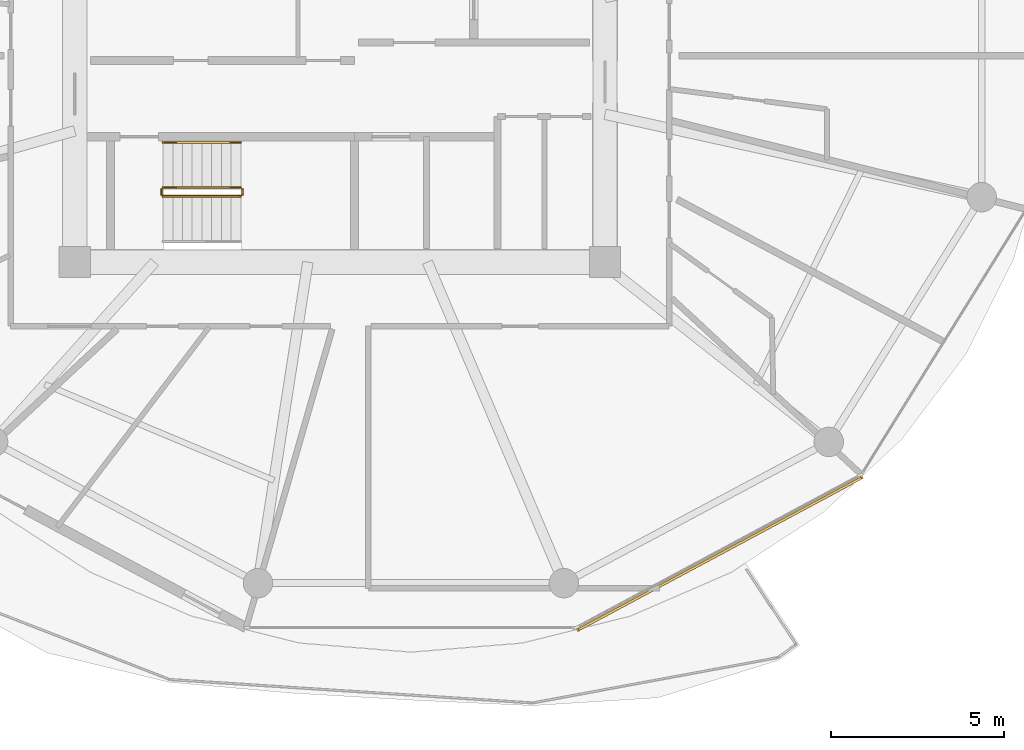
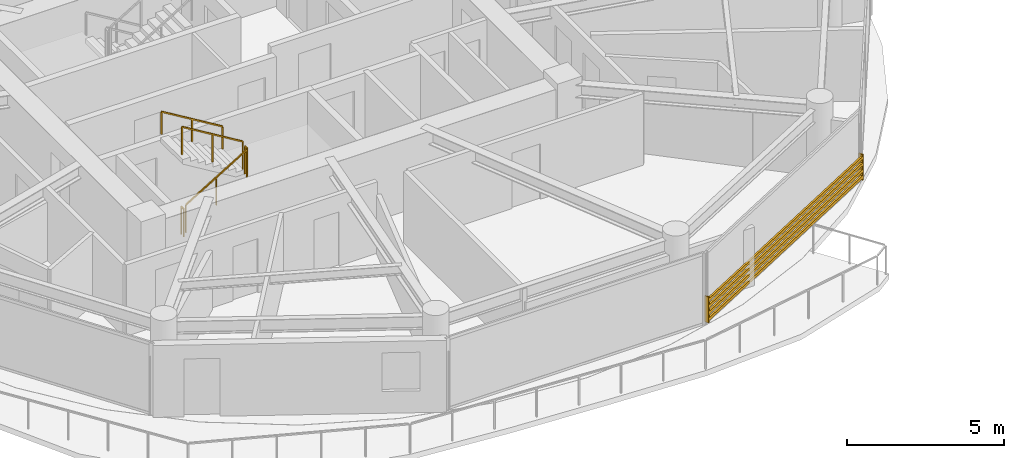
# One storey, part 21 of 24: 5 railings, 1 shading device.
"""IFC4 building model written with IfcOpenShell, lengths in metres."""

from ifc_helpers import new_model, si_unit, direction, frame, origin, origin_2d, place, context, subcontext, project, spatial, rectangle, extrude, source, transform, mapped, material, type_object, type_shapes, element, save


model = new_model("IFC4")

# Units and contexts
model_context = context("Model", 3, precision=1e-05, world=origin(), true_north=direction((0.0, 1.0)))
body_context = subcontext(model_context, "Body", "Model", "MODEL_VIEW")
ifc_project = project(units=[si_unit("LENGTHUNIT", "METRE"), si_unit("AREAUNIT", "SQUARE_METRE"), si_unit("VOLUMEUNIT", "CUBIC_METRE"), si_unit("PLANEANGLEUNIT", "RADIAN"), si_unit("MASSUNIT", "GRAM", prefix="KILO")], contexts=[model_context])

# Site, building, storey
site_placement = place(None, origin())
site = spatial("IfcSite", under=ifc_project, at=site_placement, CompositionType="ELEMENT")
building_placement = place(site_placement, origin())
building = spatial("IfcBuilding", under=site, at=building_placement, Name="Norrkilde Senior Care Towers", CompositionType="ELEMENT")
storey_placement = place(building_placement, frame((0.0, 0.0, 108.449951171875)))
storey = spatial("IfcBuildingStorey", under=building, at=storey_placement, Name="L33", CompositionType="ELEMENT", Elevation=108.449951171875)

# Railings
ifc_material_1 = material(Name="Stainless Steel", Category="steel")
railing_type_1 = type_object("IfcRailingType", Name="Stair and Terrace Guardrail 1100", PredefinedType="GUARDRAIL", material=ifc_material_1)
railing_1_placement = place(storey_placement, frame((-33.10009765625, -4.050048828125, 0.16943359375)))
element("IfcRailing", 1, at=railing_1_placement, inside=storey, type_object=railing_type_1, Name="L33 ST-W2 stair guard 1", PredefinedType="GUARDRAIL", context=body_context, shape_type="SweptSolid", body=[
    extrude(rectangle(XDim=0.048095703125, YDim=0.048095703125, at=origin_2d()), frame((0.0, 0.0, 1.076171875), z_axis=(0.855512035549, 0.0, 0.517782924622), x_axis=(0.0, 1.0, 0.0)), (0.0, 0.0, 1.0), 2.618408203125),
    extrude(rectangle(XDim=0.0419921875, YDim=0.0419921875, at=origin_2d()), origin(), (0.0, 0.0, 1.0), 1.050048828125),
    extrude(rectangle(XDim=0.0419921875, YDim=0.0419921875, at=origin_2d()), frame((1.1201171875, 0.0, 0.677734375)), (0.0, 0.0, 1.0), 1.050048828125),
    extrude(rectangle(XDim=0.0419921875, YDim=0.0419921875, at=origin_2d()), frame((2.239990234375, 0.0, 1.355712890625)), (0.0, 0.0, 1.0), 1.050048828125),
])
railing_2_placement = place(storey_placement, frame((-30.81005859375, -4.0, 1.525146484375)))
element("IfcRailing", 2, at=railing_2_placement, inside=storey, type_object=railing_type_1, Name="L33 ST-W2 stair guard 2", PredefinedType="GUARDRAIL", context=body_context, shape_type="SweptSolid", body=[
    extrude(rectangle(XDim=0.048095703125, YDim=0.048095703125, at=origin_2d()), frame((0.0, 0.0, 1.076171875), z_axis=(0.0, 1.0, 0.0), x_axis=(-1.0, 0.0, 0.0)), (0.0, 0.0, 1.0), 0.14990234375),
    extrude(rectangle(XDim=0.0419921875, YDim=0.0419921875, at=origin_2d()), origin(), (0.0, 0.0, 1.0), 1.050048828125),
    extrude(rectangle(XDim=0.0419921875, YDim=0.0419921875, at=origin_2d()), frame((0.0, 0.14990234375, 0.0)), (0.0, 0.0, 1.0), 1.050048828125),
])
railing_3_placement = place(storey_placement, frame((-30.860107421875, -3.800048828125, 1.694580078125)))
element("IfcRailing", 3, at=railing_3_placement, inside=storey, type_object=railing_type_1, Name="L33 ST-W2 stair guard 3", PredefinedType="GUARDRAIL", context=body_context, shape_type="SweptSolid", body=[
    extrude(rectangle(XDim=0.048095703125, YDim=0.048095703125, at=origin_2d()), frame((0.0, 0.0, 1.076171875), z_axis=(-0.855553338991, 0.0, 0.51771467445), x_axis=(0.0, -1.0, 0.0)), (0.0, 0.0, 1.0), 2.6181640625),
    extrude(rectangle(XDim=0.0419921875, YDim=0.0419921875, at=origin_2d()), origin(), (0.0, 0.0, 1.0), 1.050048828125),
    extrude(rectangle(XDim=0.0419921875, YDim=0.0419921875, at=origin_2d()), frame((-1.1201171875, 0.0, 0.677734375)), (0.0, 0.0, 1.0), 1.050048828125),
    extrude(rectangle(XDim=0.0419921875, YDim=0.0419921875, at=origin_2d()), frame((-2.239990234375, 0.0, 1.35546875)), (0.0, 0.0, 1.0), 1.050048828125),
])
railing_4_placement = place(storey_placement, frame((-33.14990234375, -4.0, 0.0)))
element("IfcRailing", 4, at=railing_4_placement, inside=storey, type_object=railing_type_1, Name="L33 ST-W2 stair guard 4", PredefinedType="GUARDRAIL", context=body_context, shape_type="SweptSolid", body=[
    extrude(rectangle(XDim=0.048095703125, YDim=0.048095703125, at=origin_2d()), frame((0.0, 0.0, 1.076171875), z_axis=(0.0, 1.0, 0.0), x_axis=(-1.0, 0.0, 0.0)), (0.0, 0.0, 1.0), 0.14990234375),
    extrude(rectangle(XDim=0.0419921875, YDim=0.0419921875, at=origin_2d()), origin(), (0.0, 0.0, 1.0), 1.050048828125),
    extrude(rectangle(XDim=0.0419921875, YDim=0.0419921875, at=origin_2d()), frame((0.0, 0.14990234375, 0.0)), (0.0, 0.0, 1.0), 1.050048828125),
])
ifc_material_2 = material(Name="Nordic Ash Timber", Category="wood")
railing_type_2 = type_object("IfcRailingType", Name="Wall and Stair Handrail 900", PredefinedType="HANDRAIL", material=ifc_material_2)
railing_5_placement = place(storey_placement, frame((-30.860107421875, -2.5, 1.694580078125)))
element("IfcRailing", 5, at=railing_5_placement, inside=storey, type_object=railing_type_2, Name="L33 ST-W2 stair handrail 2", PredefinedType="HANDRAIL", context=body_context, shape_type="SweptSolid", body=[
    extrude(rectangle(XDim=0.048095703125, YDim=0.048095703125, at=origin_2d()), frame((0.0, 0.0, 0.8759765625), z_axis=(-0.855553338991, 0.0, 0.51771467445), x_axis=(0.0, -1.0, 0.0)), (0.0, 0.0, 1.0), 2.6181640625),
    extrude(rectangle(XDim=0.0419921875, YDim=0.0419921875, at=origin_2d()), origin(), (0.0, 0.0, 1.0), 0.849853515625),
    extrude(rectangle(XDim=0.0419921875, YDim=0.0419921875, at=origin_2d()), frame((-1.1201171875, 0.0, 0.677734375)), (0.0, 0.0, 1.0), 0.849853515625),
    extrude(rectangle(XDim=0.0419921875, YDim=0.0419921875, at=origin_2d()), frame((-2.239990234375, 0.0, 1.35546875)), (0.0, 0.0, 1.0), 0.849853515625),
])

# Shading device
ifc_material_3 = material(Name="Architectural Terracotta", Category="masonry")
shading_device_type = type_object("IfcShadingDeviceType", Name="Horizontal Terracotta Baguette Rack", PredefinedType="USERDEFINED", material=ifc_material_3)
shared_shape = source(origin(), body_context, "Body", "SweptSolid", [
    extrude(rectangle(XDim=0.070068359375, YDim=0.110107421875, at=origin_2d()), frame((0.0, 0.090087890625, 0.125), z_axis=(1.0, 0.0, 0.0), x_axis=(0.0, 1.0, 0.0)), (0.0, 0.0, 1.0), 9.3505859375),
    extrude(rectangle(XDim=0.070068359375, YDim=0.110107421875, at=origin_2d()), frame((0.0, 0.090087890625, 0.375), z_axis=(1.0, 0.0, 0.0), x_axis=(0.0, 1.0, 0.0)), (0.0, 0.0, 1.0), 9.3505859375),
    extrude(rectangle(XDim=0.070068359375, YDim=0.110107421875, at=origin_2d()), frame((0.0, 0.090087890625, 0.625), z_axis=(1.0, 0.0, 0.0), x_axis=(0.0, 1.0, 0.0)), (0.0, 0.0, 1.0), 9.3505859375),
    extrude(rectangle(XDim=0.070068359375, YDim=0.110107421875, at=origin_2d()), frame((0.0, 0.090087890625, 0.875), z_axis=(1.0, 0.0, 0.0), x_axis=(0.0, 1.0, 0.0)), (0.0, 0.0, 1.0), 9.3505859375),
    extrude(rectangle(XDim=0.050048828125, YDim=0.1552734375, at=origin_2d()), frame((0.02490234375, 0.047607421875, 0.0)), (0.0, 0.0, 1.0), 1.0),
    extrude(rectangle(XDim=0.050048828125, YDim=0.1552734375, at=origin_2d()), frame((9.32568359375, 0.047607421875, 0.0)), (0.0, 0.0, 1.0), 1.0),
])
type_shapes(shading_device_type, [shared_shape])
shading_device_placement = place(storey_placement, frame((-12.953369140625, -12.077392578125, 0.080078125), z_axis=(0.0, 0.0, 1.0), x_axis=(-0.881174934726, -0.472767624021, 0.0)))
element("IfcShadingDevice", 6, at=shading_device_placement, inside=storey, type_object=shading_device_type, Name="L33 Drum W Terracotta Baguette Screen 09", ObjectType="BAGUETTE", PredefinedType="USERDEFINED", context=body_context, shape_type="MappedRepresentation", body=[
    mapped(shared_shape, transform((0.0, 0.0, 0.0), x_axis=(1.0, 0.0, 0.0), y_axis=(0.0, 1.0, 0.0), z_axis=(0.0, 0.0, 1.0), scale=1.0)),
])

save(model, "model.ifc")
